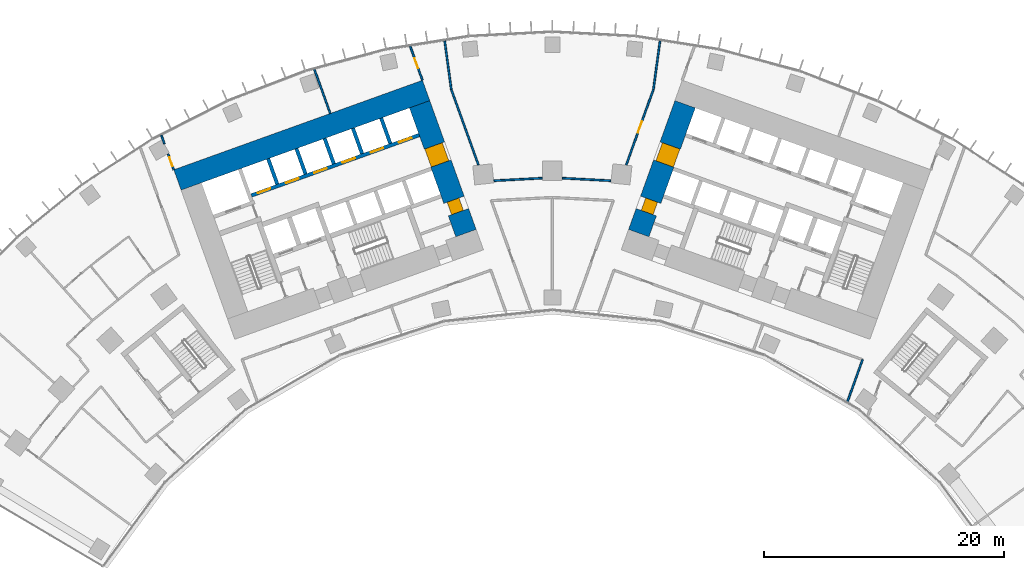
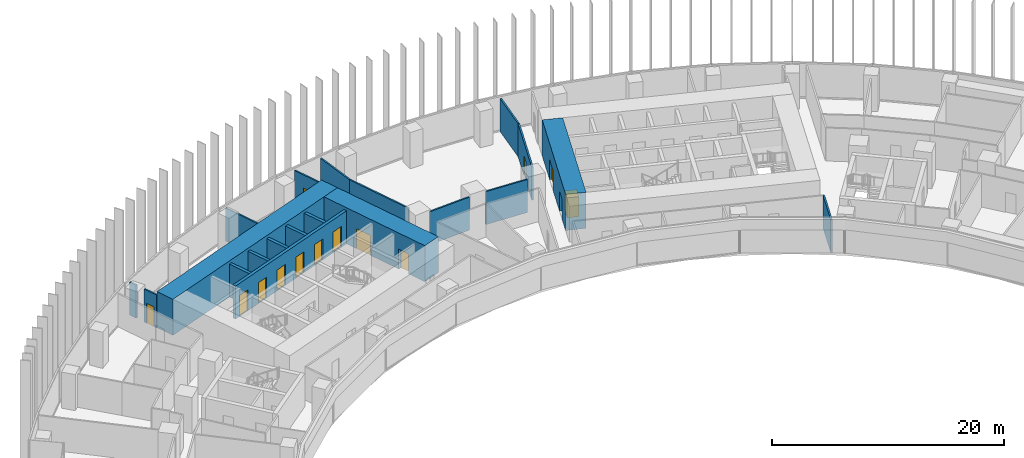
# One storey, part 19 of 24: 20 walls, 13 doors, 13 openings.
"""IFC4 building model written with IfcOpenShell, lengths in metres."""

from ifc_helpers import new_model, si_unit, direction, frame, frame_2d, origin, place, context, subcontext, project, spatial, rectangle, extrude, material, layer, layer_set, type_object, element, fill, save


model = new_model("IFC4")

# Units and contexts
model_context = context("Model", 3, precision=1e-05, world=origin(), true_north=direction((0.0, 1.0)))
body_context = subcontext(model_context, "Body", "Model", "MODEL_VIEW")
ifc_project = project(units=[si_unit("LENGTHUNIT", "METRE"), si_unit("AREAUNIT", "SQUARE_METRE"), si_unit("VOLUMEUNIT", "CUBIC_METRE"), si_unit("PLANEANGLEUNIT", "RADIAN"), si_unit("MASSUNIT", "GRAM", prefix="KILO")], contexts=[model_context])

# Site, building, storey
site_placement = place(None, origin())
site = spatial("IfcSite", under=ifc_project, at=site_placement, CompositionType="ELEMENT")
building_placement = place(site_placement, origin())
building = spatial("IfcBuilding", under=site, at=building_placement, Name="Stone Belt Terrace Tower", CompositionType="ELEMENT")
storey_placement = place(building_placement, frame((0.0, 0.0, 41.39990234375)))
storey = spatial("IfcBuildingStorey", under=building, at=storey_placement, Name="L09", CompositionType="ELEMENT", Elevation=41.39990234375)

# Wall
ifc_material_1 = material(Name="Concrete B80", Category="concrete")
ifc_layer_1 = layer(ifc_material_1, 1.800048828125)
ifc_layer_set_1 = layer_set([ifc_layer_1], Name="Core wall 1800 B80")
wall_type_1 = type_object("IfcWallType", Name="Core wall 1800 B80", PredefinedType="SHEAR", material=ifc_layer_set_1)
wall_1_placement = place(storey_placement, frame((-31.20947265625, 54.23583984375, 0.0), z_axis=(0.0, 0.0, 1.0), x_axis=(0.940922914687, 0.338620833112, 0.0)))
element("IfcWall", 1, at=wall_1_placement, inside=storey, type_object=wall_type_1, Name="Core A wall convex L09", PredefinedType="SHEAR", context=body_context, shape_type="SweptSolid", body=[
    extrude(rectangle(XDim=22.000244140625, YDim=1.800048828125, at=frame_2d((11.0, 0.0))), origin(), (0.0, 0.0, 1.0), 3.800048828125),
])

# Wall, openings, doors
wall_2_placement = place(storey_placement, frame((-7.19091796875, 49.8076171875, 0.0), z_axis=(0.0, 0.0, 1.0), x_axis=(-0.338632255135, 0.940918804033, 0.0)))
wall_2 = element("IfcWall", 2, at=wall_2_placement, inside=storey, type_object=wall_type_1, Name="Core A wall end_b L09", PredefinedType="SHEAR", context=body_context, shape_type="SweptSolid", body=[
    extrude(rectangle(XDim=11.39990234375, YDim=1.800048828125, at=frame_2d((5.699951171875, 0.0))), origin(), (0.0, 0.0, 1.0), 3.800048828125),
])
opening_1_placement = place(wall_2_placement, frame((6.14990234375, 0.0, 0.0)))
opening_1 = element("IfcOpeningElement", 3, at=opening_1_placement, cuts=wall_2, Name="Opening L09-C02", PredefinedType="OPENING", context=body_context, shape_type="SweptSolid", body=[
    extrude(rectangle(XDim=1.60009765625, YDim=2.10009765625, at=frame_2d((0.800048828125, 1.050048828125))), frame((0.0, 0.909912109375, 0.0), z_axis=(0.0, -1.0, 0.0), x_axis=(1.0, 0.0, 0.0)), (0.0, 0.0, 1.0), 1.820068359375),
])
opening_2_placement = place(wall_2_placement, frame((1.85009765625, 0.0, 0.0)))
opening_2 = element("IfcOpeningElement", 4, at=opening_2_placement, cuts=wall_2, Name="Opening L09-C08", PredefinedType="OPENING", context=body_context, shape_type="SweptSolid", body=[
    extrude(rectangle(XDim=1.10009765625, YDim=2.10009765625, at=frame_2d((0.550048828125, 1.050048828125))), frame((0.0, 0.909912109375, 0.0), z_axis=(0.0, -1.0, 0.0), x_axis=(1.0, 0.0, 0.0)), (0.0, 0.0, 1.0), 1.820068359375),
])
ifc_material_2 = material(Name="Timber door leaf", Category="wood")
door_type_1 = type_object("IfcDoorType", Name="Core room door 1100", OperationType="SINGLE_SWING_LEFT", PredefinedType="DOOR", material=ifc_material_2)
door_1_placement = place(opening_2_placement, origin())
door_1 = element("IfcDoor", 5, at=door_1_placement, inside=storey, type_object=door_type_1, Name="Door to Accessible WC core A", OperationType="SINGLE_SWING_LEFT", OverallHeight=2.10009765625, OverallWidth=1.10009765625, PredefinedType="DOOR", context=body_context, shape_type="SweptSolid", body=[
    extrude(rectangle(XDim=1.10009765625, YDim=2.10009765625, at=frame_2d((0.550048828125, 1.050048828125))), frame((0.0, 0.60498046875, 0.0), z_axis=(0.0, -1.0, 0.0), x_axis=(1.0, 0.0, 0.0)), (0.0, 0.0, 1.0), 1.050048828125),
])
fill(opening_2, door_1)
ifc_material_3 = material(Name="Glazed aluminium door leaf", Category="aluminium")
door_type_2 = type_object("IfcDoorType", Name="Lift lobby entrance door 1600", OperationType="DOUBLE_DOOR_SINGLE_SWING", PredefinedType="DOOR", material=ifc_material_3)
door_2_placement = place(opening_1_placement, origin())
door_2 = element("IfcDoor", 6, at=door_2_placement, inside=storey, type_object=door_type_2, Name="Lift lobby entrance door core A", OperationType="DOUBLE_DOOR_SINGLE_SWING", OverallHeight=2.10009765625, OverallWidth=1.60009765625, PredefinedType="DOOR", context=body_context, shape_type="SweptSolid", body=[
    extrude(rectangle(XDim=1.60009765625, YDim=2.10009765625, at=frame_2d((0.800048828125, 1.050048828125))), frame((0.0, 0.85498046875, 0.0), z_axis=(0.0, -1.0, 0.0), x_axis=(1.0, 0.0, 0.0)), (0.0, 0.0, 1.0), 1.550048828125),
])
fill(opening_1, door_2)

wall_3_placement = place(storey_placement, frame((7.19091796875, 49.8076171875, 0.0), z_axis=(0.0, 0.0, 1.0), x_axis=(0.338632255135, 0.940918804033, 0.0)))
wall_3 = element("IfcWall", 7, at=wall_3_placement, inside=storey, type_object=wall_type_1, Name="Core B wall end_a L09", PredefinedType="SHEAR", context=body_context, shape_type="SweptSolid", body=[
    extrude(rectangle(XDim=11.39990234375, YDim=1.800048828125, at=frame_2d((5.699951171875, 0.0))), origin(), (0.0, 0.0, 1.0), 3.800048828125),
])
opening_3_placement = place(wall_3_placement, frame((6.14990234375, 0.0, 0.0)))
opening_3 = element("IfcOpeningElement", 8, at=opening_3_placement, cuts=wall_3, Name="Opening L09-C11", PredefinedType="OPENING", context=body_context, shape_type="SweptSolid", body=[
    extrude(rectangle(XDim=1.60009765625, YDim=2.10009765625, at=frame_2d((0.800048828125, 1.050048828125))), frame((0.0, 0.909912109375, 0.0), z_axis=(0.0, -1.0, 0.0), x_axis=(1.0, 0.0, 0.0)), (0.0, 0.0, 1.0), 1.820068359375),
])
opening_4_placement = place(wall_3_placement, frame((1.85009765625, 0.0, 0.0)))
opening_4 = element("IfcOpeningElement", 9, at=opening_4_placement, cuts=wall_3, Name="Opening L09-C17", PredefinedType="OPENING", context=body_context, shape_type="SweptSolid", body=[
    extrude(rectangle(XDim=1.10009765625, YDim=2.10009765625, at=frame_2d((0.550048828125, 1.050048828125))), frame((0.0, 0.909912109375, 0.0), z_axis=(0.0, -1.0, 0.0), x_axis=(1.0, 0.0, 0.0)), (0.0, 0.0, 1.0), 1.820068359375),
])
door_3_placement = place(opening_4_placement, origin())
door_3 = element("IfcDoor", 10, at=door_3_placement, inside=storey, type_object=door_type_1, Name="Door to Accessible WC core B", OperationType="SINGLE_SWING_RIGHT", OverallHeight=2.10009765625, OverallWidth=1.10009765625, PredefinedType="DOOR", context=body_context, shape_type="SweptSolid", body=[
    extrude(rectangle(XDim=1.10009765625, YDim=2.10009765625, at=frame_2d((0.550048828125, 1.050048828125))), frame((0.0, 0.44482421875, 0.0), z_axis=(0.0, -1.0, 0.0), x_axis=(1.0, 0.0, 0.0)), (0.0, 0.0, 1.0), 1.050048828125),
])
fill(opening_4, door_3)
door_4_placement = place(opening_3_placement, origin())
door_4 = element("IfcDoor", 11, at=door_4_placement, inside=storey, type_object=door_type_2, Name="Lift lobby entrance door core B", OperationType="DOUBLE_DOOR_SINGLE_SWING", OverallHeight=2.10009765625, OverallWidth=1.60009765625, PredefinedType="DOOR", context=body_context, shape_type="SweptSolid", body=[
    extrude(rectangle(XDim=1.60009765625, YDim=2.10009765625, at=frame_2d((0.800048828125, 1.050048828125))), frame((0.0, 0.69482421875, 0.0), z_axis=(0.0, -1.0, 0.0), x_axis=(1.0, 0.0, 0.0)), (0.0, 0.0, 1.0), 1.550048828125),
])
fill(opening_3, door_4)

ifc_layer_2 = layer(ifc_material_1, 0.300048828125)
ifc_layer_set_2 = layer_set([ifc_layer_2], Name="Lift shaft wall 300")
wall_type_2 = type_object("IfcWallType", Name="Lift shaft wall 300", PredefinedType="SHEAR", material=ifc_layer_set_2)
wall_4_placement = place(storey_placement, frame((-25.05810546875, 52.9423828125, 0.0), z_axis=(0.0, 0.0, 1.0), x_axis=(0.940918215764, 0.338633889685, 0.0)))
wall_4 = element("IfcWall", 12, at=wall_4_placement, inside=storey, type_object=wall_type_2, Name="Core A wall", PredefinedType="SHEAR", context=body_context, shape_type="SweptSolid", body=[
    extrude(rectangle(XDim=14.850341796875, YDim=0.300048828125, at=frame_2d((7.42529296875, 0.0))), origin(), (0.0, 0.0, 1.0), 3.47998046875),
])
opening_5_placement = place(wall_4_placement, frame((0.570068359375, 0.0, 0.0)))
opening_5 = element("IfcOpeningElement", 13, at=opening_5_placement, cuts=wall_4, Name="Opening L09-LD01", PredefinedType="OPENING", context=body_context, shape_type="SweptSolid", body=[
    extrude(rectangle(XDim=1.10009765625, YDim=2.199951171875, at=frame_2d((0.550048828125, 1.10009765625))), frame((0.0, 0.159912109375, 0.0), z_axis=(0.0, -1.0, 0.0), x_axis=(1.0, 0.0, 0.0)), (0.0, 0.0, 1.0), 0.320068359375),
])
opening_6_placement = place(wall_4_placement, frame((3.070068359375, 0.0, 0.0)))
opening_6 = element("IfcOpeningElement", 14, at=opening_6_placement, cuts=wall_4, Name="Opening L09-LD02", PredefinedType="OPENING", context=body_context, shape_type="SweptSolid", body=[
    extrude(rectangle(XDim=1.10009765625, YDim=2.199951171875, at=frame_2d((0.550048828125, 1.10009765625))), frame((0.0, 0.159912109375, 0.0), z_axis=(0.0, -1.0, 0.0), x_axis=(1.0, 0.0, 0.0)), (0.0, 0.0, 1.0), 0.320068359375),
])
opening_7_placement = place(wall_4_placement, frame((5.570068359375, 0.0, 0.0)))
opening_7 = element("IfcOpeningElement", 15, at=opening_7_placement, cuts=wall_4, Name="Opening L09-LD03", PredefinedType="OPENING", context=body_context, shape_type="SweptSolid", body=[
    extrude(rectangle(XDim=1.10009765625, YDim=2.199951171875, at=frame_2d((0.550048828125, 1.10009765625))), frame((0.0, 0.159912109375, 0.0), z_axis=(0.0, -1.0, 0.0), x_axis=(1.0, 0.0, 0.0)), (0.0, 0.0, 1.0), 0.320068359375),
])
opening_8_placement = place(wall_4_placement, frame((8.070068359375, 0.0, 0.0)))
opening_8 = element("IfcOpeningElement", 16, at=opening_8_placement, cuts=wall_4, Name="Opening L09-LD04", PredefinedType="OPENING", context=body_context, shape_type="SweptSolid", body=[
    extrude(rectangle(XDim=1.10009765625, YDim=2.199951171875, at=frame_2d((0.550048828125, 1.10009765625))), frame((0.0, 0.159912109375, 0.0), z_axis=(0.0, -1.0, 0.0), x_axis=(1.0, 0.0, 0.0)), (0.0, 0.0, 1.0), 0.320068359375),
])
opening_9_placement = place(wall_4_placement, frame((10.570068359375, 0.0, 0.0)))
opening_9 = element("IfcOpeningElement", 17, at=opening_9_placement, cuts=wall_4, Name="Opening L09-LD05", PredefinedType="OPENING", context=body_context, shape_type="SweptSolid", body=[
    extrude(rectangle(XDim=1.10009765625, YDim=2.199951171875, at=frame_2d((0.550048828125, 1.10009765625))), frame((0.0, 0.159912109375, 0.0), z_axis=(0.0, -1.0, 0.0), x_axis=(1.0, 0.0, 0.0)), (0.0, 0.0, 1.0), 0.320068359375),
])
opening_10_placement = place(wall_4_placement, frame((13.070068359375, 0.0, 0.0)))
opening_10 = element("IfcOpeningElement", 18, at=opening_10_placement, cuts=wall_4, Name="Opening L09-LD06", PredefinedType="OPENING", context=body_context, shape_type="SweptSolid", body=[
    extrude(rectangle(XDim=1.10009765625, YDim=2.199951171875, at=frame_2d((0.550048828125, 1.10009765625))), frame((0.0, 0.159912109375, 0.0), z_axis=(0.0, -1.0, 0.0), x_axis=(1.0, 0.0, 0.0)), (0.0, 0.0, 1.0), 0.320068359375),
])
ifc_material_4 = material(Name="Stainless steel door leaf", Category="steel")
door_type_3 = type_object("IfcDoorType", Name="Landing door 1100", OperationType="SLIDING_TO_LEFT", PredefinedType="DOOR", material=ifc_material_4)
door_5_placement = place(opening_5_placement, origin())
door_5 = element("IfcDoor", 19, at=door_5_placement, inside=storey, type_object=door_type_3, Name="Landing door LR1 core A", OperationType="SLIDING_TO_LEFT", OverallHeight=2.199951171875, OverallWidth=1.10009765625, PredefinedType="DOOR", context=body_context, shape_type="SweptSolid", body=[
    extrude(rectangle(XDim=1.10009765625, YDim=2.199951171875, at=frame_2d((0.550048828125, 1.10009765625))), frame((0.0, 0.02490234375, 0.0), z_axis=(0.0, -1.0, 0.0), x_axis=(1.0, 0.0, 0.0)), (0.0, 0.0, 1.0), 0.050048828125),
])
fill(opening_5, door_5)
door_6_placement = place(opening_6_placement, origin())
door_6 = element("IfcDoor", 20, at=door_6_placement, inside=storey, type_object=door_type_3, Name="Landing door LR2 core A", OperationType="SLIDING_TO_LEFT", OverallHeight=2.199951171875, OverallWidth=1.10009765625, PredefinedType="DOOR", context=body_context, shape_type="SweptSolid", body=[
    extrude(rectangle(XDim=1.10009765625, YDim=2.199951171875, at=frame_2d((0.550048828125, 1.10009765625))), frame((0.0, 0.02490234375, 0.0), z_axis=(0.0, -1.0, 0.0), x_axis=(1.0, 0.0, 0.0)), (0.0, 0.0, 1.0), 0.050048828125),
])
fill(opening_6, door_6)
door_7_placement = place(opening_7_placement, origin())
door_7 = element("IfcDoor", 21, at=door_7_placement, inside=storey, type_object=door_type_3, Name="Landing door LR3 core A", OperationType="SLIDING_TO_LEFT", OverallHeight=2.199951171875, OverallWidth=1.10009765625, PredefinedType="DOOR", context=body_context, shape_type="SweptSolid", body=[
    extrude(rectangle(XDim=1.10009765625, YDim=2.199951171875, at=frame_2d((0.550048828125, 1.10009765625))), frame((0.0, 0.02490234375, 0.0), z_axis=(0.0, -1.0, 0.0), x_axis=(1.0, 0.0, 0.0)), (0.0, 0.0, 1.0), 0.050048828125),
])
fill(opening_7, door_7)
door_8_placement = place(opening_8_placement, origin())
door_8 = element("IfcDoor", 22, at=door_8_placement, inside=storey, type_object=door_type_3, Name="Landing door LR4 core A", OperationType="SLIDING_TO_LEFT", OverallHeight=2.199951171875, OverallWidth=1.10009765625, PredefinedType="DOOR", context=body_context, shape_type="SweptSolid", body=[
    extrude(rectangle(XDim=1.10009765625, YDim=2.199951171875, at=frame_2d((0.550048828125, 1.10009765625))), frame((0.0, 0.02490234375, 0.0), z_axis=(0.0, -1.0, 0.0), x_axis=(1.0, 0.0, 0.0)), (0.0, 0.0, 1.0), 0.050048828125),
])
fill(opening_8, door_8)
door_9_placement = place(opening_9_placement, origin())
door_9 = element("IfcDoor", 23, at=door_9_placement, inside=storey, type_object=door_type_3, Name="Landing door LR5 core A", OperationType="SLIDING_TO_LEFT", OverallHeight=2.199951171875, OverallWidth=1.10009765625, PredefinedType="DOOR", context=body_context, shape_type="SweptSolid", body=[
    extrude(rectangle(XDim=1.10009765625, YDim=2.199951171875, at=frame_2d((0.550048828125, 1.10009765625))), frame((0.0, 0.02490234375, 0.0), z_axis=(0.0, -1.0, 0.0), x_axis=(1.0, 0.0, 0.0)), (0.0, 0.0, 1.0), 0.050048828125),
])
fill(opening_9, door_9)
door_10_placement = place(opening_10_placement, origin())
door_10 = element("IfcDoor", 24, at=door_10_placement, inside=storey, type_object=door_type_3, Name="Landing door LR6 core A", OperationType="SLIDING_TO_LEFT", OverallHeight=2.199951171875, OverallWidth=1.10009765625, PredefinedType="DOOR", context=body_context, shape_type="SweptSolid", body=[
    extrude(rectangle(XDim=1.10009765625, YDim=2.199951171875, at=frame_2d((0.550048828125, 1.10009765625))), frame((0.0, 0.02490234375, 0.0), z_axis=(0.0, -1.0, 0.0), x_axis=(1.0, 0.0, 0.0)), (0.0, 0.0, 1.0), 0.050048828125),
])
fill(opening_10, door_10)

# Walls
wall_5_placement = place(storey_placement, frame((-22.897705078125, 53.87939453125, 0.0), z_axis=(0.0, 0.0, 1.0), x_axis=(-0.338535034312, 0.940953787677, 0.0)))
element("IfcWall", 25, at=wall_5_placement, inside=storey, type_object=wall_type_2, Name="Core A wall", PredefinedType="SHEAR", context=body_context, shape_type="SweptSolid", body=[
    extrude(rectangle(XDim=2.25, YDim=0.300048828125, at=frame_2d((1.125, 0.0))), origin(), (0.0, 0.0, 1.0), 3.47998046875),
])
wall_6_placement = place(storey_placement, frame((-20.54541015625, 54.72607421875, 0.0), z_axis=(0.0, 0.0, 1.0), x_axis=(-0.338569601369, 0.940941350472, 0.0)))
element("IfcWall", 26, at=wall_6_placement, inside=storey, type_object=wall_type_2, Name="Core A wall", PredefinedType="SHEAR", context=body_context, shape_type="SweptSolid", body=[
    extrude(rectangle(XDim=2.249755859375, YDim=0.300048828125, at=frame_2d((1.125, 0.0))), origin(), (0.0, 0.0, 1.0), 3.47998046875),
])
wall_7_placement = place(storey_placement, frame((-18.193115234375, 55.572509765625, 0.0), z_axis=(0.0, 0.0, 1.0), x_axis=(-0.338535034312, 0.940953787677, 0.0)))
element("IfcWall", 27, at=wall_7_placement, inside=storey, type_object=wall_type_2, Name="Core A wall", PredefinedType="SHEAR", context=body_context, shape_type="SweptSolid", body=[
    extrude(rectangle(XDim=2.25, YDim=0.300048828125, at=frame_2d((1.125, 0.0))), origin(), (0.0, 0.0, 1.0), 3.47998046875),
])
wall_8_placement = place(storey_placement, frame((-15.8408203125, 56.419189453125, 0.0), z_axis=(0.0, 0.0, 1.0), x_axis=(-0.338569601369, 0.940941350472, 0.0)))
element("IfcWall", 28, at=wall_8_placement, inside=storey, type_object=wall_type_2, Name="Core A wall", PredefinedType="SHEAR", context=body_context, shape_type="SweptSolid", body=[
    extrude(rectangle(XDim=2.249755859375, YDim=0.300048828125, at=frame_2d((1.125, 0.0))), origin(), (0.0, 0.0, 1.0), 3.47998046875),
])
wall_9_placement = place(storey_placement, frame((-13.48828125, 57.265625, 0.0), z_axis=(0.0, 0.0, 1.0), x_axis=(-0.338631098537, 0.940919220286, 0.0)))
element("IfcWall", 29, at=wall_9_placement, inside=storey, type_object=wall_type_2, Name="Core A wall", PredefinedType="SHEAR", context=body_context, shape_type="SweptSolid", body=[
    extrude(rectangle(XDim=2.250244140625, YDim=0.300048828125, at=frame_2d((1.125, 0.0))), origin(), (0.0, 0.0, 1.0), 3.47998046875),
])
ifc_material_5 = material(Name="Gypsum board partition")
ifc_layer_3 = layer(ifc_material_5, 0.14990234375)
ifc_layer_set_3 = layer_set([ifc_layer_3], Name="PARTITION 150 EI 60")
wall_type_3 = type_object("IfcWallType", Name="PARTITION 150 EI 60", PredefinedType="PARTITIONING", material=ifc_layer_set_3)
wall_10_placement = place(storey_placement, frame((-32.5458984375, 57.947998046875, 0.0), z_axis=(0.0, 0.0, 1.0), x_axis=(0.338960201827, -0.940800712998, 0.0)))
element("IfcWall", 30, at=wall_10_placement, inside=storey, type_object=wall_type_3, Name="L09/wall/i002", PredefinedType="PARTITIONING", context=body_context, shape_type="SweptSolid", body=[
    extrude(rectangle(XDim=0.754150390625, YDim=0.14990234375, at=frame_2d((0.376953125, 0.0))), origin(), (0.0, 0.0, 1.0), 3.47998046875),
])

# Wall, opening, door
wall_11_placement = place(storey_placement, frame((-31.98681640625, 56.39599609375, 0.0), z_axis=(0.0, 0.0, 1.0), x_axis=(0.338861945182, -0.940836107995, 0.0)))
wall_11 = element("IfcWall", 31, at=wall_11_placement, inside=storey, type_object=wall_type_3, Name="L09/wall/i003", PredefinedType="PARTITIONING", context=body_context, shape_type="SweptSolid", body=[
    extrude(rectangle(XDim=1.3955078125, YDim=0.14990234375, at=frame_2d((0.69775390625, 0.0))), origin(), (0.0, 0.0, 1.0), 3.47998046875),
])
opening_11_placement = place(wall_11_placement, frame((0.2978515625, 0.0, 0.0)))
opening_11 = element("IfcOpeningElement", 32, at=opening_11_placement, cuts=wall_11, Name="Opening D-A2-04", PredefinedType="OPENING", context=body_context, shape_type="SweptSolid", body=[
    extrude(rectangle(XDim=0.800048828125, YDim=2.10009765625, at=frame_2d((0.39990234375, 1.050048828125))), frame((0.0, 0.0849609375, 0.0), z_axis=(0.0, -1.0, 0.0), x_axis=(1.0, 0.0, 0.0)), (0.0, 0.0, 1.0), 0.169921875),
])
door_type_4 = type_object("IfcDoorType", Name="STORE DOOR 800 X 2100", OperationType="NOTDEFINED", PredefinedType="DOOR", material=ifc_material_2)
door_11_placement = place(opening_11_placement, origin())
door_11 = element("IfcDoor", 33, at=door_11_placement, inside=storey, type_object=door_type_4, Name="L09/door/i04", OperationType="SINGLE_SWING_RIGHT", OverallHeight=2.10009765625, OverallWidth=0.800048828125, PredefinedType="DOOR", context=body_context, shape_type="SweptSolid", body=[
    extrude(rectangle(XDim=0.800048828125, YDim=2.10009765625, at=frame_2d((0.39990234375, 1.050048828125))), frame((0.0, 0.02490234375, 0.0), z_axis=(0.0, -1.0, 0.0), x_axis=(1.0, 0.0, 0.0)), (0.0, 0.0, 1.0), 0.050048828125),
])
fill(opening_11, door_11)

wall_12_placement = place(storey_placement, frame((-10.81396484375, 62.531982421875, 0.0), z_axis=(0.0, 0.0, 1.0), x_axis=(-0.338630302468, 0.940919506786, 0.0)))
wall_12 = element("IfcWall", 34, at=wall_12_placement, inside=storey, type_object=wall_type_3, Name="L09/wall/i006", PredefinedType="PARTITIONING", context=body_context, shape_type="SweptSolid", body=[
    extrude(rectangle(XDim=3.005615234375, YDim=0.14990234375, at=frame_2d((1.5029296875, 0.0))), origin(), (0.0, 0.0, 1.0), 3.47998046875),
])
opening_12_placement = place(wall_12_placement, frame((1.052734375, 0.0, 0.0)))
opening_12 = element("IfcOpeningElement", 35, at=opening_12_placement, cuts=wall_12, Name="Opening D-A2-05", PredefinedType="OPENING", context=body_context, shape_type="SweptSolid", body=[
    extrude(rectangle(XDim=0.89990234375, YDim=2.10009765625, at=frame_2d((0.449951171875, 1.050048828125))), frame((0.0, 0.0849609375, 0.0), z_axis=(0.0, -1.0, 0.0), x_axis=(1.0, 0.0, 0.0)), (0.0, 0.0, 1.0), 0.169921875),
])
door_type_5 = type_object("IfcDoorType", Name="OFFICE DOOR 900 X 2100", OperationType="NOTDEFINED", PredefinedType="DOOR", material=ifc_material_2)
door_12_placement = place(opening_12_placement, origin())
door_12 = element("IfcDoor", 36, at=door_12_placement, inside=storey, type_object=door_type_5, Name="L09/door/i05", OperationType="SINGLE_SWING_RIGHT", OverallHeight=2.10009765625, OverallWidth=0.89990234375, PredefinedType="DOOR", context=body_context, shape_type="SweptSolid", body=[
    extrude(rectangle(XDim=0.89990234375, YDim=2.10009765625, at=frame_2d((0.449951171875, 1.050048828125))), frame((0.0, 0.02490234375, 0.0), z_axis=(0.0, -1.0, 0.0), x_axis=(1.0, 0.0, 0.0)), (0.0, 0.0, 1.0), 0.050048828125),
])
fill(opening_12, door_12)

# Walls
wall_13_placement = place(storey_placement, frame((-8.964599609375, 65.815185546875, 0.0), z_axis=(0.0, 0.0, 1.0), x_axis=(0.134854339568, -0.990865433396, 0.0)))
element("IfcWall", 37, at=wall_13_placement, inside=storey, type_object=wall_type_3, Name="L09/wall/i008", PredefinedType="PARTITIONING", context=body_context, shape_type="SweptSolid", body=[
    extrude(rectangle(XDim=4.08251953125, YDim=0.14990234375, at=frame_2d((2.041259765625, 0.0))), origin(), (0.0, 0.0, 1.0), 3.47998046875),
])
wall_14_placement = place(storey_placement, frame((-8.4140625, 61.76904296875, 0.0), z_axis=(0.0, 0.0, 1.0), x_axis=(0.338630067573, -0.940919591323, 0.0)))
element("IfcWall", 38, at=wall_14_placement, inside=storey, type_object=wall_type_3, Name="L09/wall/i009", PredefinedType="PARTITIONING", context=body_context, shape_type="SweptSolid", body=[
    extrude(rectangle(XDim=6.672607421875, YDim=0.14990234375, at=frame_2d((3.33642578125, 0.0))), origin(), (0.0, 0.0, 1.0), 3.47998046875),
])
wall_15_placement = place(storey_placement, frame((-19.81298828125, 63.442138671875, 0.0), z_axis=(0.0, 0.0, 1.0), x_axis=(0.338732758861, -0.940882627151, 0.0)))
element("IfcWall", 39, at=wall_15_placement, inside=storey, type_object=wall_type_3, Name="L09/wall/i015", PredefinedType="PARTITIONING", context=body_context, shape_type="SweptSolid", body=[
    extrude(rectangle(XDim=3.90283203125, YDim=0.14990234375, at=frame_2d((1.951416015625, 0.0))), origin(), (0.0, 0.0, 1.0), 3.47998046875),
])

# Wall, opening, door
wall_16_placement = place(storey_placement, frame((6.154541015625, 55.49072265625, 0.0), z_axis=(0.0, 0.0, 1.0), x_axis=(0.338630067573, 0.940919591323, 0.0)))
wall_16 = element("IfcWall", 40, at=wall_16_placement, inside=storey, type_object=wall_type_3, Name="L09/wall/i019", PredefinedType="PARTITIONING", context=body_context, shape_type="SweptSolid", body=[
    extrude(rectangle(XDim=6.672607421875, YDim=0.14990234375, at=frame_2d((3.33642578125, 0.0))), origin(), (0.0, 0.0, 1.0), 3.47998046875),
])
opening_13_placement = place(wall_16_placement, frame((2.836181640625, 0.0, 0.0)))
opening_13 = element("IfcOpeningElement", 41, at=opening_13_placement, cuts=wall_16, Name="Opening D-A2-31", PredefinedType="OPENING", context=body_context, shape_type="SweptSolid", body=[
    extrude(rectangle(XDim=1.0, YDim=2.10009765625, at=frame_2d((0.5, 1.050048828125))), frame((0.0, 0.0849609375, 0.0), z_axis=(0.0, -1.0, 0.0), x_axis=(1.0, 0.0, 0.0)), (0.0, 0.0, 1.0), 0.169921875),
])
ifc_material_6 = material(Name="Timber fire door leaf", Category="wood")
door_type_6 = type_object("IfcDoorType", Name="TENANCY ENTRANCE DOOR 1000 X 2100", OperationType="NOTDEFINED", PredefinedType="DOOR", material=ifc_material_6)
door_13_placement = place(opening_13_placement, origin())
door_13 = element("IfcDoor", 42, at=door_13_placement, inside=storey, type_object=door_type_6, Name="L09/door/i31", OperationType="SINGLE_SWING_RIGHT", OverallHeight=2.10009765625, OverallWidth=1.0, PredefinedType="DOOR", context=body_context, shape_type="SweptSolid", body=[
    extrude(rectangle(XDim=1.0, YDim=2.10009765625, at=frame_2d((0.5, 1.050048828125))), frame((0.0, 0.02490234375, 0.0), z_axis=(0.0, -1.0, 0.0), x_axis=(1.0, 0.0, 0.0)), (0.0, 0.0, 1.0), 0.050048828125),
])
fill(opening_13, door_13)

# Walls
wall_17_placement = place(storey_placement, frame((8.4140625, 61.77001953125, 0.0), z_axis=(0.0, 0.0, 1.0), x_axis=(0.134854339568, 0.990865433396, 0.0)))
element("IfcWall", 43, at=wall_17_placement, inside=storey, type_object=wall_type_3, Name="L09/wall/i020", PredefinedType="PARTITIONING", context=body_context, shape_type="SweptSolid", body=[
    extrude(rectangle(XDim=4.08251953125, YDim=0.14990234375, at=frame_2d((2.041259765625, 0.0))), origin(), (0.0, 0.0, 1.0), 3.47998046875),
])
wall_18_placement = place(storey_placement, frame((24.56494140625, 35.771728515625, 0.0), z_axis=(0.0, 0.0, 1.0), x_axis=(0.338392582605, 0.941005026574, 0.0)))
element("IfcWall", 44, at=wall_18_placement, inside=storey, type_object=wall_type_3, Name="L09/wall/i021", PredefinedType="PARTITIONING", context=body_context, shape_type="SweptSolid", body=[
    extrude(rectangle(XDim=3.729248046875, YDim=0.14990234375, at=frame_2d((1.86474609375, 0.0))), origin(), (0.0, 0.0, 1.0), 3.47998046875),
])
for number, where, z_axis, x_axis, name in (
    (45, (-4.85888671875, 54.170166015625, 0.0), (0.0, 0.0, 1.0), (0.998625841842, 0.052406373714, 0.0), "L09/wall/i090"),
    (46, (0.830078125, 54.381591796875, 0.0), (0.0, 0.0, 1.0), (0.998625841842, -0.052406373714, 0.0), "L09/wall/i091"),
):
    element("IfcWall", number, at=place(storey_placement, frame(where, z_axis=z_axis, x_axis=x_axis)), inside=storey, type_object=wall_type_3, Name=name, PredefinedType="PARTITIONING", context=body_context, shape_type="SweptSolid", body=[
        extrude(rectangle(XDim=4.034423828125, YDim=0.14990234375, at=frame_2d((2.01708984375, 0.0))), origin(), (0.0, 0.0, 1.0), 3.47998046875),
    ])

save(model, "model.ifc")
